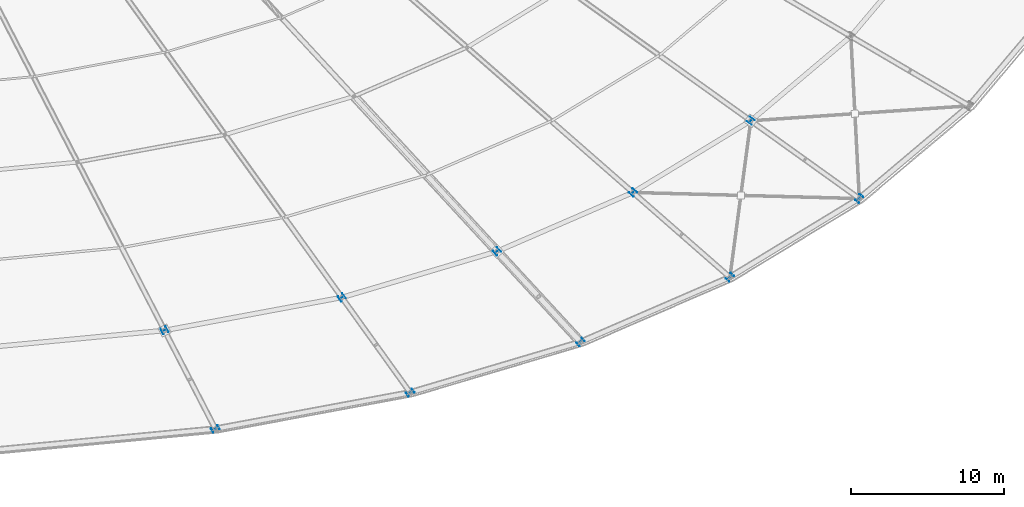
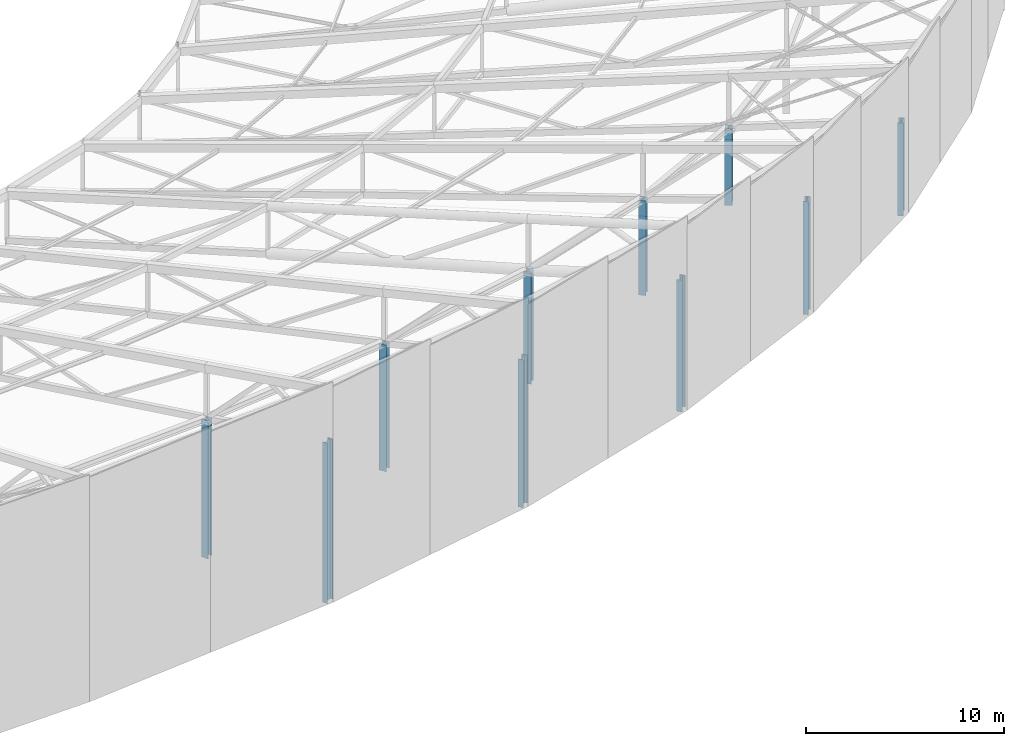
# One storey, part 7 of 143: 10 columns.
"""IFC4 building model written with IfcOpenShell, lengths in metres."""

import ifcopenshell
import ifcopenshell.guid

model = None  # the IFC model being written
_history = None  # IfcOwnerHistory: only IFC2X3 demands one
_inside = {}  # id of a spatial element -> (the spatial element, [elements in it])
_under = {}  # id of a project, library or spatial element -> (it, [spatial elements below it])
_declared = {}  # id of a project -> (the project, [libraries it declares])
_typed = {}  # id of a type object -> (the type object, [elements of that type])
_made_of = {}  # id of a material, layer set ... -> (it, [elements and type objects made of it])


def new_model(schema):
    """Start an empty IFC model of exactly this schema.

    Asked for "IFC4X3", IfcOpenShell would pick the latest addendum, in which some entities
    have other attributes; the version numbers below select the first issue.
    IFC2X3 requires an IfcOwnerHistory on every rooted entity: one is made here for all.
    """
    global model, _history
    if schema == "IFC4X3":
        model = ifcopenshell.file(schema_version=(4, 3, 0, 0))
    else:
        model = ifcopenshell.file(schema=schema)
    _inside.clear()
    _under.clear()
    _declared.clear()
    _typed.clear()
    _made_of.clear()
    _history = None
    if model.schema == "IFC2X3":
        org = make("IfcOrganization", Name="unknown")
        user = make(
            "IfcPersonAndOrganization",
            ThePerson=make("IfcPerson", FamilyName="unknown"),
            TheOrganization=org,
        )
        app = make(
            "IfcApplication",
            ApplicationDeveloper=org,
            Version="unknown",
            ApplicationFullName="unknown",
            ApplicationIdentifier="unknown",
        )
        _history = make(
            "IfcOwnerHistory",
            OwningUser=user,
            OwningApplication=app,
            ChangeAction="ADDED",
            CreationDate=0,
        )
    return model


def make(cls, **values):
    """One entity of the class cls with the attributes given. An attribute that is None is left unset."""
    return model.create_entity(
        cls, **{name: value for name, value in values.items() if value is not None}
    )


def rooted(cls, **values):
    """An entity with a GlobalId (a new one), such as an element, a storey or a relation."""
    return make(cls, GlobalId=ifcopenshell.guid.new(), OwnerHistory=_history, **values)


def si_unit(unit_type, name, prefix=None):
    """IfcSIUnit, for example si_unit("LENGTHUNIT", "METRE", prefix="MILLI")."""
    return make("IfcSIUnit", UnitType=unit_type, Prefix=prefix, Name=name)


def assignment(units):
    """IfcUnitAssignment: the units of a project."""
    return None if units is None else make("IfcUnitAssignment", Units=units)


def point(xyz):
    """IfcCartesianPoint."""
    return None if xyz is None else make("IfcCartesianPoint", Coordinates=xyz)


def direction(xyz):
    """IfcDirection."""
    return None if xyz is None else make("IfcDirection", DirectionRatios=xyz)


def frame(location, z_axis=None, x_axis=None):
    """IfcAxis2Placement3D, a coordinate frame: its origin and axes. An axis left out is left unset."""
    return make(
        "IfcAxis2Placement3D",
        Location=point(location),
        Axis=direction(z_axis),
        RefDirection=direction(x_axis),
    )


def frame_2d(location, x_axis=None):
    """IfcAxis2Placement2D, a coordinate frame in the plane: its origin and x axis."""
    return make(
        "IfcAxis2Placement2D", Location=point(location), RefDirection=direction(x_axis)
    )


def origin():
    """The frame at (0, 0, 0) with its axes left unset."""
    return frame((0.0, 0.0, 0.0))


def origin_2d():
    """The frame at (0, 0) in the plane with its x axis left unset."""
    return frame_2d((0.0, 0.0))


def place(relative_to, where):
    """IfcLocalPlacement: puts the frame where relative to a parent placement (None: the world)."""
    return make(
        "IfcLocalPlacement", PlacementRelTo=relative_to, RelativePlacement=where
    )


def context(
    kind, dimensions, precision=None, world=None, true_north=None, identifier=None
):
    """IfcGeometricRepresentationContext, for example the 3D "Model" context."""
    return make(
        "IfcGeometricRepresentationContext",
        ContextIdentifier=identifier,
        ContextType=kind,
        CoordinateSpaceDimension=dimensions,
        Precision=precision,
        WorldCoordinateSystem=world,
        TrueNorth=true_north,
    )


def subcontext(parent, identifier, kind, view, scale=None):
    """IfcGeometricRepresentationSubContext, for example "Body" below "Model"."""
    return make(
        "IfcGeometricRepresentationSubContext",
        ContextIdentifier=identifier,
        ContextType=kind,
        ParentContext=parent,
        TargetScale=scale,
        TargetView=view,
    )


def project(units=None, contexts=None):
    """IfcProject with its units and contexts."""
    return rooted(
        "IfcProject",
        Name="project",
        RepresentationContexts=contexts,
        UnitsInContext=assignment(units),
    )


def spatial(cls, under=None, at=None, **own):
    """A site, building, storey or space (cls), placed at a placement, below another one or the project."""
    s = rooted(cls, ObjectPlacement=at, **own)
    if under is not None:
        _under.setdefault(under.id(), (under, []))[1].append(s)
    return s


def profile(cls, at=None, kind="AREA", **sizes):
    """A parametric profile (cls). Its sizes go by their IFC names, for example OverallWidth=200.0."""
    return make(cls, ProfileType=kind, Position=at, **sizes)


def i_section(**sizes):
    """IfcIShapeProfileDef."""
    return profile("IfcIShapeProfileDef", **sizes)


def extrude(swept, where, along, depth):
    """IfcExtrudedAreaSolid: the profile swept, set in the frame where, extruded along a direction by depth."""
    return make(
        "IfcExtrudedAreaSolid",
        SweptArea=swept,
        Position=where,
        ExtrudedDirection=direction(along),
        Depth=depth,
    )


def shape(context_of_items, identifier, shape_type, items):
    """IfcShapeRepresentation: the items that make up one representation, for example the "Body"."""
    return make(
        "IfcShapeRepresentation",
        ContextOfItems=context_of_items,
        RepresentationIdentifier=identifier,
        RepresentationType=shape_type,
        Items=items,
    )


def material(Name=None, Category=None):
    """IfcMaterial."""
    return make("IfcMaterial", Name=Name, Category=Category)


def material_profile(
    of_material, cross_section, Name=None, Category=None, Priority=None
):
    """IfcMaterialProfile: a cross section and its material."""
    return make(
        "IfcMaterialProfile",
        Name=Name,
        Material=of_material,
        Profile=cross_section,
        Priority=Priority,
        Category=Category,
    )


def profile_set(profiles, Name=None, composite=None):
    """IfcMaterialProfileSet."""
    return make(
        "IfcMaterialProfileSet",
        Name=Name,
        MaterialProfiles=profiles,
        CompositeProfile=composite,
    )


def made_of(thing, what):
    """Note that an element or type object is made of a material, layer set ...; save() writes the relation."""
    if what is not None:
        _made_of.setdefault(what.id(), (what, []))[1].append(thing)
    return thing


def type_object(cls, material=None, **own):
    """A type object (cls), such as IfcWallType, which elements share."""
    return made_of(rooted(cls, **own), material)


def element(
    cls,
    number,
    at=None,
    inside=None,
    cuts=None,
    type_object=None,
    material=None,
    context=None,
    identifier="Body",
    shape_type=None,
    held_by="IfcProductDefinitionShape",
    body=None,
    shapes=None,
    **own,
):
    """One element of the class cls, such as IfcWall. Its Tag is "e" and its number.

    at: its placement. inside: the storey or other place that contains it. cuts: it is an
    opening in that element (IfcRelVoidsElement). A single representation is given by context,
    identifier, shape_type and body (its items); several are given by shapes. held_by: the class
    of the entity that holds the representations. save() writes the other relations.
    """
    e = rooted(cls, Tag="e%d" % number, ObjectPlacement=at, **own)
    if body is not None:
        shapes = [shape(context, identifier, shape_type, body)]
    if shapes is not None:
        e.Representation = make(held_by, Representations=shapes)
    if inside is not None:
        _inside.setdefault(inside.id(), (inside, []))[1].append(e)
    if cuts is not None:
        rooted(
            "IfcRelVoidsElement", RelatingBuildingElement=cuts, RelatedOpeningElement=e
        )
    if type_object is not None:
        _typed.setdefault(type_object.id(), (type_object, []))[1].append(e)
    return made_of(e, material)


def aggregate(whole, parts):
    """IfcRelAggregates: a whole, such as a stair, and the parts it consists of."""
    return rooted("IfcRelAggregates", RelatingObject=whole, RelatedObjects=parts)


def save(model, path):
    """Write the relations noted so far, then the file.

    IfcRelAggregates (storeys below a building ...), IfcRelContainedInSpatialStructure (elements
    in a storey), IfcRelDefinesByType, IfcRelAssociatesMaterial and IfcRelDeclares: one each for
    every whole, place, type object, material and project.
    """
    for whole, parts in _under.values():
        aggregate(whole, parts)
    for where, things in _inside.values():
        rooted(
            "IfcRelContainedInSpatialStructure",
            RelatedElements=things,
            RelatingStructure=where,
        )
    for kind, things in _typed.values():
        rooted("IfcRelDefinesByType", RelatedObjects=things, RelatingType=kind)
    for what, things in _made_of.values():
        rooted("IfcRelAssociatesMaterial", RelatedObjects=things, RelatingMaterial=what)
    for by, libraries in _declared.values():
        rooted("IfcRelDeclares", RelatingContext=by, RelatedDefinitions=libraries)
    model.write(path)


model = new_model("IFC4")

# Units and contexts
model_context = context("Model", 3, precision=1e-05, world=origin(), true_north=direction((0.0, 1.0)))
body_context = subcontext(model_context, "Body", "Model", "MODEL_VIEW")
ifc_project = project(units=[si_unit("LENGTHUNIT", "METRE"), si_unit("AREAUNIT", "SQUARE_METRE"), si_unit("VOLUMEUNIT", "CUBIC_METRE"), si_unit("PLANEANGLEUNIT", "RADIAN"), si_unit("MASSUNIT", "GRAM", prefix="KILO")], contexts=[model_context])

# Site, building, storey
site_placement = place(None, origin())
site = spatial("IfcSite", under=ifc_project, at=site_placement, CompositionType="ELEMENT")
building_placement = place(site_placement, origin())
building = spatial("IfcBuilding", under=site, at=building_placement, Name="Mphavela Belvedere Stadium", CompositionType="ELEMENT")
storey_placement = place(building_placement, frame((0.0, 0.0, 28.800048828125)))
storey = spatial("IfcBuildingStorey", under=building, at=storey_placement, Name="RF", CompositionType="ELEMENT", Elevation=28.800048828125)

# Columns
ifc_material_1 = material(Name="Steel S355", Category="steel")
ifc_material_profile_1 = material_profile(ifc_material_1, i_section(OverallWidth=0.39501953125, OverallDepth=0.3798828125, WebThickness=0.0166015625, FlangeThickness=0.02587890625, at=origin_2d()), Name="HD 400x237")
ifc_profile_set_1 = profile_set([ifc_material_profile_1], Name="Steel S355")
column_type_1 = type_object("IfcColumnType", Name="COL-STEEL-HD400", PredefinedType="COLUMN", material=ifc_profile_set_1)
column_1_placement = place(storey_placement, frame((148.750244140625, 21.66455078125, 0.0), z_axis=(0.0, 0.0, 1.0), x_axis=(0.458959712465, -0.888457079624, 0.0)))
element("IfcColumn", 1, at=column_1_placement, inside=storey, type_object=column_type_1, Name="Roof truss inner support column RF R3-39", PredefinedType="COLUMN", context=body_context, shape_type="SweptSolid", body=[
    extrude(i_section(OverallWidth=0.39501953125, OverallDepth=0.3798828125, WebThickness=0.0166015625, FlangeThickness=0.02587890625, at=origin_2d()), origin(), (0.0, 0.0, 1.0), 8.485595703125),
])
column_2_placement = place(storey_placement, frame((160.337890625, 23.822509765625, 0.0), z_axis=(0.0, 0.0, 1.0), x_axis=(0.582974127943, -0.812490717577, 0.0)))
element("IfcColumn", 2, at=column_2_placement, inside=storey, type_object=column_type_1, Name="Roof truss inner support column RF R3-40", PredefinedType="COLUMN", context=body_context, shape_type="SweptSolid", body=[
    extrude(i_section(OverallWidth=0.39501953125, OverallDepth=0.3798828125, WebThickness=0.0166015625, FlangeThickness=0.02587890625, at=origin_2d()), origin(), (0.0, 0.0, 1.0), 7.791259765625),
])
column_3_placement = place(storey_placement, frame((170.476318359375, 26.83203125, 0.0), z_axis=(0.0, 0.0, 1.0), x_axis=(0.677903094969, -0.735151272753, 0.0)))
element("IfcColumn", 3, at=column_3_placement, inside=storey, type_object=column_type_1, Name="Roof truss inner support column RF R3-41", PredefinedType="COLUMN", context=body_context, shape_type="SweptSolid", body=[
    extrude(i_section(OverallWidth=0.39501953125, OverallDepth=0.3798828125, WebThickness=0.0166015625, FlangeThickness=0.02587890625, at=origin_2d()), origin(), (0.0, 0.0, 1.0), 6.88623046875),
])
column_4_placement = place(storey_placement, frame((179.360107421875, 30.68310546875, 0.0), z_axis=(0.0, 0.0, 1.0), x_axis=(0.752529860433, -0.658558128912, 0.0)))
element("IfcColumn", 4, at=column_4_placement, inside=storey, type_object=column_type_1, Name="Roof truss inner support column RF R3-42", PredefinedType="COLUMN", context=body_context, shape_type="SweptSolid", body=[
    extrude(i_section(OverallWidth=0.39501953125, OverallDepth=0.3798828125, WebThickness=0.0166015625, FlangeThickness=0.02587890625, at=origin_2d()), origin(), (0.0, 0.0, 1.0), 5.832275390625),
])
column_5_placement = place(storey_placement, frame((187.061279296875, 35.368408203125, 0.0), z_axis=(0.0, 0.0, 1.0), x_axis=(0.812897512265, -0.582406760395, 0.0)))
element("IfcColumn", 5, at=column_5_placement, inside=storey, type_object=column_type_1, Name="Roof truss inner support column RF R3-43", PredefinedType="COLUMN", context=body_context, shape_type="SweptSolid", body=[
    extrude(i_section(OverallWidth=0.39501953125, OverallDepth=0.3798828125, WebThickness=0.0166015625, FlangeThickness=0.02587890625, at=origin_2d()), origin(), (0.0, 0.0, 1.0), 4.701171875),
])
ifc_material_2 = material(Name="Steel S355", Category="steel")
ifc_material_profile_2 = material_profile(ifc_material_2, i_section(OverallWidth=0.300048828125, OverallDepth=0.5, WebThickness=0.014404296875, FlangeThickness=0.028076171875, at=origin_2d()), Name="HEB 500")
ifc_profile_set_2 = profile_set([ifc_material_profile_2], Name="Steel S355")
column_type_2 = type_object("IfcColumnType", Name="COL-STEEL-HEB500", PredefinedType="COLUMN", material=ifc_profile_set_2)
column_6_placement = place(storey_placement, frame((152.07275390625, 15.232666015625, 0.0), z_axis=(0.0, 0.0, 1.0), x_axis=(0.458959712465, -0.888457079624, 0.0)))
element("IfcColumn", 6, at=column_6_placement, inside=storey, type_object=column_type_2, Name="Roof truss outer tie-down column RF R4-39", PredefinedType="COLUMN", context=body_context, shape_type="SweptSolid", body=[
    extrude(i_section(OverallWidth=0.300048828125, OverallDepth=0.5, WebThickness=0.014404296875, FlangeThickness=0.028076171875, at=origin_2d()), origin(), (0.0, 0.0, 1.0), 9.867919921875),
])
column_7_placement = place(storey_placement, frame((164.80126953125, 17.60302734375, 0.0), z_axis=(0.0, 0.0, 1.0), x_axis=(0.582974127943, -0.812490717577, 0.0)))
element("IfcColumn", 7, at=column_7_placement, inside=storey, type_object=column_type_2, Name="Roof truss outer tie-down column RF R4-40", PredefinedType="COLUMN", context=body_context, shape_type="SweptSolid", body=[
    extrude(i_section(OverallWidth=0.300048828125, OverallDepth=0.5, WebThickness=0.014404296875, FlangeThickness=0.028076171875, at=origin_2d()), origin(), (0.0, 0.0, 1.0), 9.10498046875),
])
column_8_placement = place(storey_placement, frame((175.9375, 20.90869140625, 0.0), z_axis=(0.0, 0.0, 1.0), x_axis=(0.677903094969, -0.735151272753, 0.0)))
element("IfcColumn", 8, at=column_8_placement, inside=storey, type_object=column_type_2, Name="Roof truss outer tie-down column RF R4-41", PredefinedType="COLUMN", context=body_context, shape_type="SweptSolid", body=[
    extrude(i_section(OverallWidth=0.300048828125, OverallDepth=0.5, WebThickness=0.014404296875, FlangeThickness=0.028076171875, at=origin_2d()), origin(), (0.0, 0.0, 1.0), 8.11083984375),
])
column_9_placement = place(storey_placement, frame((185.6962890625, 25.13916015625, 0.0), z_axis=(0.0, 0.0, 1.0), x_axis=(0.752529860433, -0.658558128912, 0.0)))
element("IfcColumn", 9, at=column_9_placement, inside=storey, type_object=column_type_2, Name="Roof truss outer tie-down column RF R4-42", PredefinedType="COLUMN", context=body_context, shape_type="SweptSolid", body=[
    extrude(i_section(OverallWidth=0.300048828125, OverallDepth=0.5, WebThickness=0.014404296875, FlangeThickness=0.028076171875, at=origin_2d()), origin(), (0.0, 0.0, 1.0), 6.953369140625),
])
column_10_placement = place(storey_placement, frame((194.155517578125, 30.285400390625, 0.0), z_axis=(0.0, 0.0, 1.0), x_axis=(0.812897512265, -0.582406760395, 0.0)))
element("IfcColumn", 10, at=column_10_placement, inside=storey, type_object=column_type_2, Name="Roof truss outer tie-down column RF R4-43", PredefinedType="COLUMN", context=body_context, shape_type="SweptSolid", body=[
    extrude(i_section(OverallWidth=0.300048828125, OverallDepth=0.5, WebThickness=0.014404296875, FlangeThickness=0.028076171875, at=origin_2d()), origin(), (0.0, 0.0, 1.0), 5.7109375),
])

save(model, "model.ifc")
